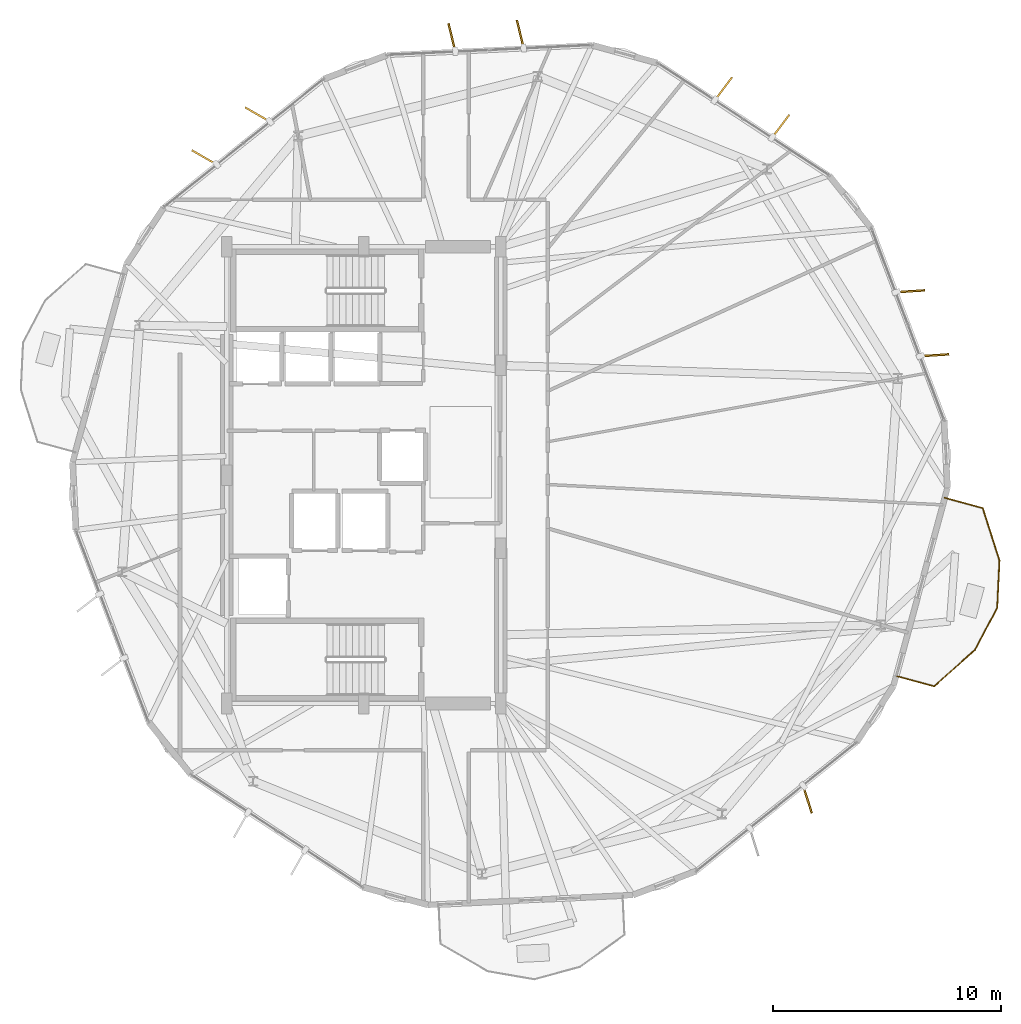
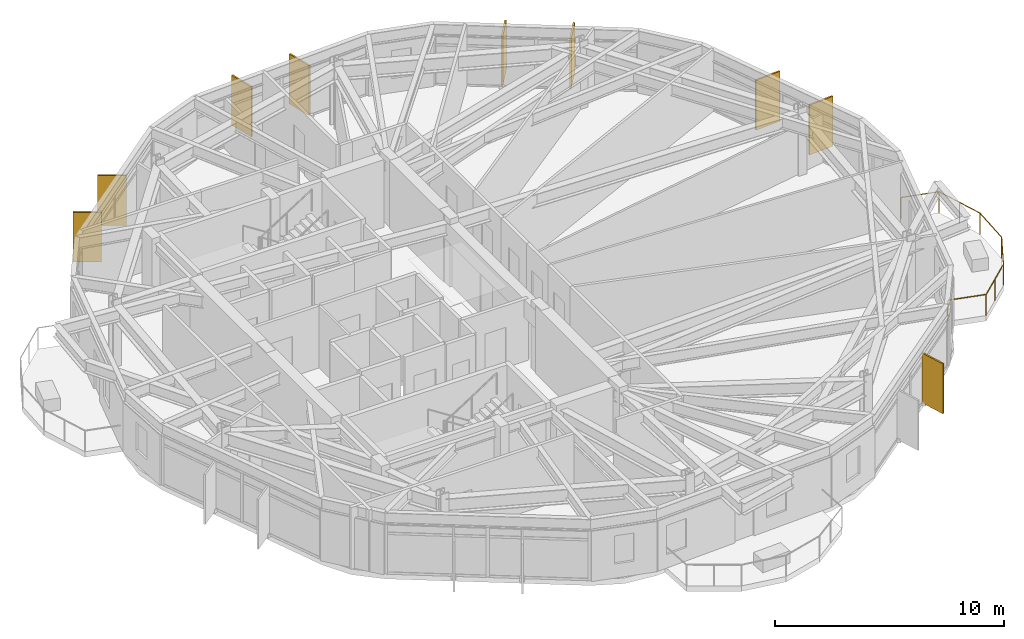
# One storey, part 23 of 23: 9 shading devices, 1 railing.
"""IFC4 building model written with IfcOpenShell, lengths in metres."""

from ifc_helpers import new_model, si_unit, direction, frame, origin, origin_2d, place, context, subcontext, project, spatial, rectangle, circle, extrude, material, layer, layer_set, type_object, element, save


model = new_model("IFC4")

# Units and contexts
model_context = context("Model", 3, precision=1e-05, world=origin(), true_north=direction((0.0, 1.0)))
body_context = subcontext(model_context, "Body", "Model", "MODEL_VIEW")
ifc_project = project(units=[si_unit("LENGTHUNIT", "METRE"), si_unit("AREAUNIT", "SQUARE_METRE"), si_unit("VOLUMEUNIT", "CUBIC_METRE"), si_unit("PLANEANGLEUNIT", "RADIAN"), si_unit("MASSUNIT", "GRAM", prefix="KILO")], contexts=[model_context])

# Site, building, storey
site_placement = place(None, origin())
site = spatial("IfcSite", under=ifc_project, at=site_placement, CompositionType="ELEMENT")
building_placement = place(site_placement, origin())
building = spatial("IfcBuilding", under=site, at=building_placement, Name="Soratama Intermodal Tower", CompositionType="ELEMENT")
storey_placement = place(building_placement, frame((0.0, 0.0, 175.0)))
storey = spatial("IfcBuildingStorey", under=building, at=storey_placement, Name="L43", CompositionType="ELEMENT", Elevation=175.0)

# Railing
ifc_material_1 = material(Name="Laminated glass and stainless steel balustrade", Category="steel")
railing_type = type_object("IfcRailingType", Name="RL-BAL-1150", PredefinedType="BALUSTRADE", material=ifc_material_1)
railing_placement = place(storey_placement, frame((64.035400390625, 24.004150390625, 0.0)))
element("IfcRailing", 1, at=railing_placement, inside=storey, type_object=railing_type, Name="L43 Balcony Balustrade 1", PredefinedType="BALUSTRADE", context=body_context, shape_type="SweptSolid", body=[
    extrude(circle(Radius=0.02392578125, at=origin_2d()), frame((0.0, 0.0, 1.1259765625), z_axis=(0.964826033339, -0.262889188428, 0.0), x_axis=(0.262889188428, 0.964826033339, 0.0)), (0.0, 0.0, 1.0), 1.719970703125),
    extrude(circle(Radius=0.02392578125, at=origin_2d()), frame((1.659423828125, -0.4521484375, 1.1259765625), z_axis=(0.304408018517, -0.952541735706, 0.0), x_axis=(0.952541735706, 0.304408018517, 0.0)), (0.0, 0.0, 1.0), 2.4091796875),
    extrude(circle(Radius=0.02392578125, at=origin_2d()), frame((2.392822265625, -2.7470703125, 1.1259765625), z_axis=(-0.047397096634, -0.998876126069, 0.0), x_axis=(0.998876126069, -0.047397096634, 0.0)), (0.0, 0.0, 1.0), 2.07080078125),
    extrude(circle(Radius=0.02392578125, at=origin_2d()), frame((2.294677734375, -4.8154296875, 1.1259765625), z_axis=(-0.465838758603, -0.88486962372, 0.0), x_axis=(0.88486962372, -0.465838758603, 0.0)), (0.0, 0.0, 1.0), 2.070556640625),
    extrude(circle(Radius=0.02392578125, at=origin_2d()), frame((1.330078125, -6.647705078125, 1.1259765625), z_axis=(-0.745522179402, -0.666480817443, 0.0), x_axis=(0.666480817443, -0.745522179402, 0.0)), (0.0, 0.0, 1.0), 2.4091796875),
    extrude(circle(Radius=0.02392578125, at=origin_2d()), frame((-0.466064453125, -8.25341796875, 1.1259765625), z_axis=(-0.964826033339, 0.262889188428, 0.0), x_axis=(-0.262889188428, -0.964826033339, 0.0)), (0.0, 0.0, 1.0), 1.719970703125),
    extrude(circle(Radius=0.02099609375, at=origin_2d()), origin(), (0.0, 0.0, 1.0), 1.101806640625),
    extrude(circle(Radius=0.02099609375, at=origin_2d()), frame((1.659423828125, -0.4521484375, 0.0)), (0.0, 0.0, 1.0), 1.101806640625),
    extrude(circle(Radius=0.02099609375, at=origin_2d()), frame((2.026123046875, -1.599609375, 0.0)), (0.0, 0.0, 1.0), 1.101806640625),
    extrude(circle(Radius=0.02099609375, at=origin_2d()), frame((2.392822265625, -2.7470703125, 0.0)), (0.0, 0.0, 1.0), 1.101806640625),
    extrude(circle(Radius=0.02099609375, at=origin_2d()), frame((2.294677734375, -4.8154296875, 0.0)), (0.0, 0.0, 1.0), 1.101806640625),
    extrude(circle(Radius=0.02099609375, at=origin_2d()), frame((1.330078125, -6.647705078125, 0.0)), (0.0, 0.0, 1.0), 1.101806640625),
    extrude(circle(Radius=0.02099609375, at=origin_2d()), frame((0.43212890625, -7.45068359375, 0.0)), (0.0, 0.0, 1.0), 1.101806640625),
    extrude(circle(Radius=0.02099609375, at=origin_2d()), frame((-0.466064453125, -8.25341796875, 0.0)), (0.0, 0.0, 1.0), 1.101806640625),
    extrude(circle(Radius=0.02099609375, at=origin_2d()), frame((-2.12548828125, -7.80126953125, 0.0)), (0.0, 0.0, 1.0), 1.101806640625),
])

# Shading devices
ifc_material_2 = material(Name="Champagne anodised aluminium solar fin", Category="aluminium")
ifc_layer = layer(ifc_material_2, 0.080078125)
ifc_layer_set = layer_set([ifc_layer], Name="Champagne anodised aluminium solar fin")
shading_device_type = type_object("IfcShadingDeviceType", Name="SH-FIN-1250", PredefinedType="USERDEFINED", material=ifc_layer_set)
for number, where, z_axis, x_axis, name in (
    (2, (56.851318359375, 40.274169921875, 0.02001953125), (0.0, 0.0, 1.0), (0.601675625795, 0.798740534419, 0.0), "L43 Solar Fin F01-1"),
    (3, (54.34619140625, 41.916015625, 0.02001953125), (0.0, 0.0, 1.0), (0.601675625795, 0.798740534419, 0.0), "L43 Solar Fin F01-2"),
    (4, (45.446533203125, 44.304931640625, 0.02001953125), (0.0, 0.0, 1.0), (-0.236159819165, 0.971714227441, 0.0), "L43 Solar Fin F02-1"),
    (5, (42.454833984375, 44.16064453125, 0.02001953125), (0.0, 0.0, 1.0), (-0.236159819165, 0.971714227441, 0.0), "L43 Solar Fin F02-2"),
    (6, (33.9462890625, 40.7841796875, 0.02001953125), (0.0, 0.0, 1.0), (-0.867244547743, 0.497882410223, 0.0), "L43 Solar Fin F03-1"),
    (7, (31.61083984375, 38.908935546875, 0.02001953125), (0.0, 0.0, 1.0), (-0.867244547743, 0.497882410223, 0.0), "L43 Solar Fin F03-2"),
    (8, (58.0224609375, 10.796630859375, 0.02001953125), (0.0, 0.0, 1.0), (0.298707681332, -0.954344655307, 0.0), "L43 Solar Fin F08-2"),
    (9, (63.5927734375, 30.244873046875, 0.02001953125), (0.0, 0.0, 1.0), (0.997813020072, 0.066099750182, 0.0), "L43 Solar Fin F10-1"),
    (10, (62.531005859375, 33.045654296875, 0.02001953125), (0.0, 0.0, 1.0), (0.997813020072, 0.066099750182, 0.0), "L43 Solar Fin F10-2"),
):
    element("IfcShadingDevice", number, at=place(storey_placement, frame(where, z_axis=z_axis, x_axis=x_axis)), inside=storey, type_object=shading_device_type, Name=name, ObjectType="FIN", PredefinedType="USERDEFINED", context=body_context, shape_type="SweptSolid", body=[
        extrude(rectangle(XDim=1.25, YDim=0.080078125, at=origin_2d()), origin(), (0.0, 0.0, 1.0), 2.658935546875),
    ])

save(model, "model.ifc")
